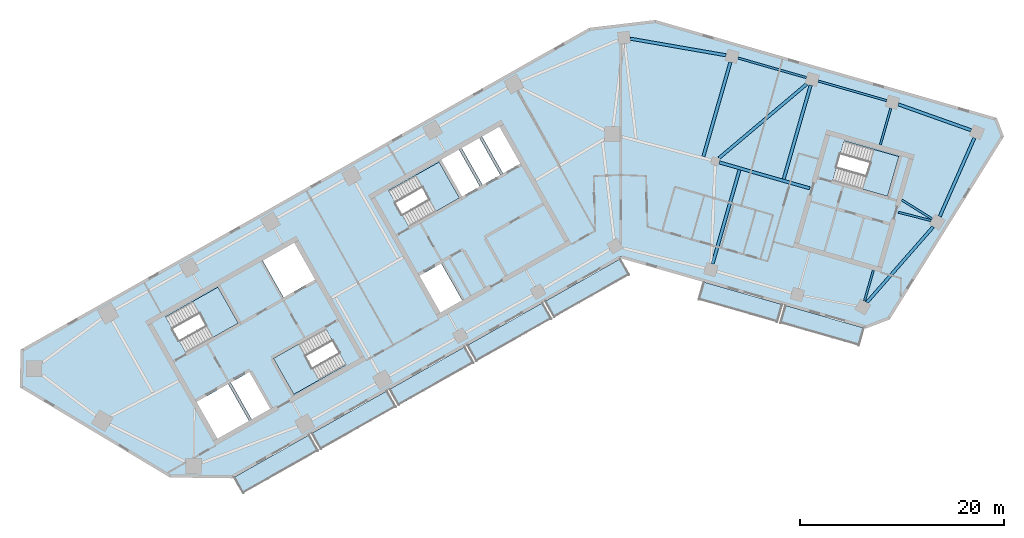
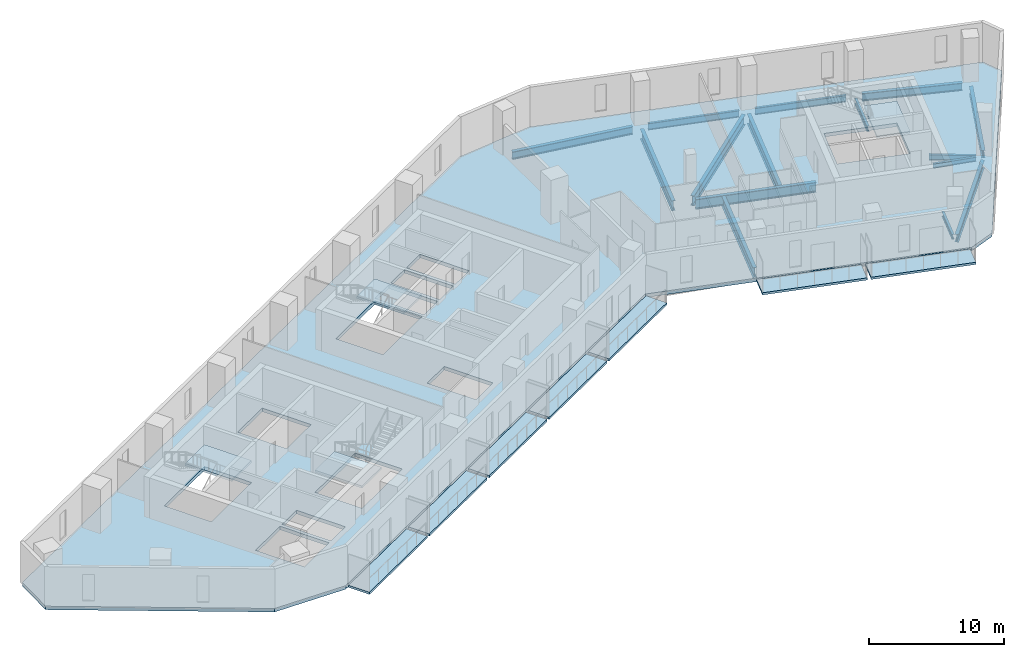
# One storey, part 2 of 9: 15 beams, 12 slabs, 4 elements without a shape of their own.
"""IFC4 building model written with IfcOpenShell, lengths in metres."""

from ifc_helpers import new_model, si_unit, direction, frame, origin, origin_2d, place, context, subcontext, project, spatial, polyline, i_section, outline, extrude, material, layer, layer_set, material_profile, profile_set, type_object, element, aggregate, save


model = new_model("IFC4")

# Units and contexts
model_context = context("Model", 3, precision=1e-05, world=origin(), true_north=direction((0.0, 1.0)))
body_context = subcontext(model_context, "Body", "Model", "MODEL_VIEW")
ifc_project = project(units=[si_unit("LENGTHUNIT", "METRE"), si_unit("AREAUNIT", "SQUARE_METRE"), si_unit("VOLUMEUNIT", "CUBIC_METRE"), si_unit("PLANEANGLEUNIT", "RADIAN"), si_unit("MASSUNIT", "GRAM", prefix="KILO")], contexts=[model_context])

# Site, building, storey
site_placement = place(None, origin())
site = spatial("IfcSite", under=ifc_project, at=site_placement, CompositionType="ELEMENT")
building_placement = place(site_placement, origin())
building = spatial("IfcBuilding", under=site, at=building_placement, Name="Binnacle Exchange Tower", CompositionType="ELEMENT")
storey_placement = place(building_placement, frame((0.0, 0.0, 158.89990234375)))
storey = spatial("IfcBuildingStorey", under=building, at=storey_placement, Name="L33", CompositionType="ELEMENT", Elevation=158.89990234375)

# Beams
ifc_material_1 = material(Name="Steel S355 (SHN355)", Category="steel")
ifc_material_profile_1 = material_profile(ifc_material_1, i_section(OverallWidth=0.201904296875, OverallDepth=0.612060546875, WebThickness=0.012939453125, FlangeThickness=0.02294921875, FilletRadius=0.02197265625, at=origin_2d()), Name="H 612x202x13x23")
ifc_profile_set_1 = profile_set([ifc_material_profile_1], Name="Steel S355 (SHN355)")
beam_type_1 = type_object("IfcBeamType", Name="Edge girder H 612x202x13x23 Steel S355 (SHN355)", PredefinedType="SPANDREL", material=ifc_profile_set_1)
for number, where, z_axis, x_axis, name in (
    (1, (18.16943359375, 65.54150390625, -0.6259765625), (-0.961255274252, 0.275659749916, 0.0), (-0.275659749916, -0.961255274252, 0.0), "S:BM:edge:L33:029"),
    (2, (26.02587890625, 63.288818359375, -0.6259765625), (-0.961267211469, 0.275618120149, 0.0), (-0.275618120149, -0.961267211469, 0.0), "S:BM:edge:L33:031"),
):
    element("IfcBeam", number, at=place(storey_placement, frame(where, z_axis=z_axis, x_axis=x_axis)), inside=storey, type_object=beam_type_1, Name=name, PredefinedType="SPANDREL", context=body_context, shape_type="SweptSolid", body=[
        extrude(i_section(OverallWidth=0.201904296875, OverallDepth=0.612060546875, WebThickness=0.012939453125, FlangeThickness=0.02294921875, FilletRadius=0.02197265625, at=origin_2d()), origin(), (0.0, 0.0, 1.0), 6.972900390625),
    ])
ifc_material_profile_2 = material_profile(ifc_material_1, i_section(OverallWidth=0.300048828125, OverallDepth=0.699951171875, WebThickness=0.012939453125, FlangeThickness=0.02392578125, FilletRadius=0.028076171875, at=origin_2d()), Name="H 700x300x13x24")
ifc_profile_set_2 = profile_set([ifc_material_profile_2], Name="Steel S355 (SHN355)")
beam_type_2 = type_object("IfcBeamType", Name="Edge girder H 700x300x13x24 Steel S355 (SHN355)", PredefinedType="SPANDREL", material=ifc_profile_set_2)
beam_1_placement = place(storey_placement, frame((31.234130859375, 51.94091796875, -0.669921875), z_axis=(0.403470856186, 0.914992496258, 0.0), x_axis=(-0.914992496258, 0.403470856186, 0.0)))
element("IfcBeam", 3, at=beam_1_placement, inside=storey, type_object=beam_type_2, Name="S:BM:edge:L33:032", PredefinedType="SPANDREL", context=body_context, shape_type="SweptSolid", body=[
    extrude(i_section(OverallWidth=0.300048828125, OverallDepth=0.699951171875, WebThickness=0.012939453125, FlangeThickness=0.02392578125, FilletRadius=0.028076171875, at=origin_2d()), origin(), (0.0, 0.0, 1.0), 8.412109375),
])
beam_2_placement = place(storey_placement, frame((34.30419921875, 60.38818359375, -0.669921875), z_axis=(-0.942327723458, 0.334691591771, 0.0), x_axis=(-0.334691591771, -0.942327723458, 0.0)))
element("IfcBeam", 4, at=beam_2_placement, inside=storey, type_object=beam_type_2, Name="S:BM:edge:L33:033", PredefinedType="SPANDREL", context=body_context, shape_type="SweptSolid", body=[
    extrude(i_section(OverallWidth=0.300048828125, OverallDepth=0.699951171875, WebThickness=0.012939453125, FlangeThickness=0.02392578125, FilletRadius=0.028076171875, at=origin_2d()), origin(), (0.0, 0.0, 1.0), 7.57177734375),
])
ifc_material_profile_3 = material_profile(ifc_material_1, i_section(OverallWidth=0.302001953125, OverallDepth=0.7080078125, WebThickness=0.014892578125, FlangeThickness=0.028076171875, FilletRadius=0.028076171875, at=origin_2d()), Name="H 708x302x15x28")
ifc_profile_set_3 = profile_set([ifc_material_profile_3], Name="Steel S355 (SHN355)")
beam_type_3 = type_object("IfcBeamType", Name="Edge girder H 708x302x15x28 Steel S355 (SHN355)", PredefinedType="SPANDREL", material=ifc_profile_set_3)
beam_3_placement = place(storey_placement, frame((10.29541015625, 67.73193359375, -0.673828125), z_axis=(-0.985309861954, 0.170776098841, 0.0), x_axis=(-0.170776098841, -0.985309861954, 0.0)))
element("IfcBeam", 5, at=beam_3_placement, inside=storey, type_object=beam_type_3, Name="S:BM:edge:L33:027", PredefinedType="SPANDREL", context=body_context, shape_type="SweptSolid", body=[
    extrude(i_section(OverallWidth=0.302001953125, OverallDepth=0.7080078125, WebThickness=0.014892578125, FlangeThickness=0.028076171875, FilletRadius=0.028076171875, at=origin_2d()), origin(), (0.0, 0.0, 1.0), 9.518310546875),
])
beam_4_placement = place(storey_placement, frame((24.09326171875, 43.5224609375, -0.673828125), z_axis=(0.659335841855, 0.751848553663, 0.0), x_axis=(-0.751848553663, 0.659335841855, 0.0)))
element("IfcBeam", 6, at=beam_4_placement, inside=storey, type_object=beam_type_3, Name="S:BM:edge:L33:030", PredefinedType="SPANDREL", context=body_context, shape_type="SweptSolid", body=[
    extrude(i_section(OverallWidth=0.302001953125, OverallDepth=0.7080078125, WebThickness=0.014892578125, FlangeThickness=0.028076171875, FilletRadius=0.028076171875, at=origin_2d()), origin(), (0.0, 0.0, 1.0), 9.851318359375),
])
ifc_material_profile_4 = material_profile(ifc_material_1, i_section(OverallWidth=0.199951171875, OverallDepth=0.449951171875, WebThickness=0.009033203125, FlangeThickness=0.013916015625, FilletRadius=0.01806640625, at=origin_2d()), Name="H 450x200x9x14")
ifc_profile_set_4 = profile_set([ifc_material_profile_4], Name="Steel S355 (SHN355)")
beam_type_4 = type_object("IfcBeamType", Name="Floor beam H 450x200x9x14 Steel S355 (SHN355)", PredefinedType="BEAM", material=ifc_profile_set_4)
beam_5_placement = place(storey_placement, frame((23.860595703125, 43.6572265625, -0.544921875), z_axis=(0.275637043779, 0.961261785414, 0.0), x_axis=(-0.961261785414, 0.275637043779, 0.0)))
element("IfcBeam", 7, at=beam_5_placement, inside=storey, type_object=beam_type_4, Name="S:BM:cross:L33:051", PredefinedType="BEAM", context=body_context, shape_type="SweptSolid", body=[
    extrude(i_section(OverallWidth=0.199951171875, OverallDepth=0.449951171875, WebThickness=0.009033203125, FlangeThickness=0.013916015625, FilletRadius=0.01806640625, at=origin_2d()), origin(), (0.0, 0.0, 1.0), 3.1328125),
])
ifc_material_profile_5 = material_profile(ifc_material_1, i_section(OverallWidth=0.199951171875, OverallDepth=0.5, WebThickness=0.010009765625, FlangeThickness=0.01611328125, FilletRadius=0.02001953125, at=origin_2d()), Name="H 500x200x10x16")
ifc_profile_set_5 = profile_set([ifc_material_profile_5], Name="Steel S355 (SHN355)")
beam_type_5 = type_object("IfcBeamType", Name="Floor beam H 500x200x10x16 Steel S355 (SHN355)", PredefinedType="BEAM", material=ifc_profile_set_5)
beam_6_placement = place(storey_placement, frame((26.437255859375, 62.546630859375, -0.56982421875), z_axis=(-0.275644746045, -0.961259576794, 0.0), x_axis=(0.961259576794, -0.275644746045, 0.0)))
element("IfcBeam", 8, at=beam_6_placement, inside=storey, type_object=beam_type_5, Name="S:BM:cross:L33:052", PredefinedType="BEAM", context=body_context, shape_type="SweptSolid", body=[
    extrude(i_section(OverallWidth=0.199951171875, OverallDepth=0.5, WebThickness=0.010009765625, FlangeThickness=0.01611328125, FilletRadius=0.02001953125, at=origin_2d()), origin(), (0.0, 0.0, 1.0), 3.735107421875),
])
beam_7_placement = place(storey_placement, frame((30.480712890625, 51.704345703125, -0.56982421875), z_axis=(-0.848084620748, 0.529860808186, 0.0), x_axis=(-0.529860808186, -0.848084620748, 0.0)))
element("IfcBeam", 9, at=beam_7_placement, inside=storey, type_object=beam_type_5, Name="S:BM:cross:L33:053", PredefinedType="BEAM", context=body_context, shape_type="SweptSolid", body=[
    extrude(i_section(OverallWidth=0.199951171875, OverallDepth=0.5, WebThickness=0.010009765625, FlangeThickness=0.01611328125, FilletRadius=0.02001953125, at=origin_2d()), origin(), (0.0, 0.0, 1.0), 3.495361328125),
])
ifc_material_profile_6 = material_profile(ifc_material_1, i_section(OverallWidth=0.302001953125, OverallDepth=0.912109375, WebThickness=0.01806640625, FlangeThickness=0.033935546875, FilletRadius=0.028076171875, at=origin_2d()), Name="H 912x302x18x34")
ifc_profile_set_6 = profile_set([ifc_material_profile_6], Name="Steel S355 (SHN355)")
beam_type_6 = type_object("IfcBeamType", Name="Floor beam H 912x302x18x34 Steel S355 (SHN355)", PredefinedType="BEAM", material=ifc_profile_set_6)
beam_8_placement = place(storey_placement, frame((8.974853515625, 47.299072265625, -0.77587890625), z_axis=(0.275642748758, 0.961260149521, 0.0), x_axis=(-0.961260149521, 0.275642748758, 0.0)))
element("IfcBeam", 10, at=beam_8_placement, inside=storey, type_object=beam_type_6, Name="S:BM:cross:L33:047", PredefinedType="BEAM", context=body_context, shape_type="SweptSolid", body=[
    extrude(i_section(OverallWidth=0.302001953125, OverallDepth=0.912109375, WebThickness=0.01806640625, FlangeThickness=0.033935546875, FilletRadius=0.028076171875, at=origin_2d()), origin(), (0.0, 0.0, 1.0), 9.585205078125),
])
beam_9_placement = place(storey_placement, frame((10.724609375, 67.05224609375, -0.77587890625), z_axis=(-0.275623285325, -0.961265730475, 0.0), x_axis=(0.961265730475, -0.275623285325, 0.0)))
element("IfcBeam", 11, at=beam_9_placement, inside=storey, type_object=beam_type_6, Name="S:BM:cross:L33:048", PredefinedType="BEAM", context=body_context, shape_type="SweptSolid", body=[
    extrude(i_section(OverallWidth=0.302001953125, OverallDepth=0.912109375, WebThickness=0.01806640625, FlangeThickness=0.033935546875, FilletRadius=0.028076171875, at=origin_2d()), origin(), (0.0, 0.0, 1.0), 9.61328125),
])
beam_10_placement = place(storey_placement, frame((18.580810546875, 64.79931640625, -0.77587890625), z_axis=(-0.275625961623, -0.961264963098, 0.0), x_axis=(0.961264963098, -0.275625961623, 0.0)))
element("IfcBeam", 12, at=beam_10_placement, inside=storey, type_object=beam_type_6, Name="S:BM:cross:L33:050", PredefinedType="BEAM", context=body_context, shape_type="SweptSolid", body=[
    extrude(i_section(OverallWidth=0.302001953125, OverallDepth=0.912109375, WebThickness=0.01806640625, FlangeThickness=0.033935546875, FilletRadius=0.028076171875, at=origin_2d()), origin(), (0.0, 0.0, 1.0), 9.5849609375),
])
ifc_material_profile_7 = material_profile(ifc_material_1, i_section(OverallWidth=0.199951171875, OverallDepth=0.39990234375, WebThickness=0.008056640625, FlangeThickness=0.012939453125, FilletRadius=0.01611328125, at=origin_2d()), Name="H 400x200x8x13")
ifc_profile_set_7 = profile_set([ifc_material_profile_7], Name="Steel S355 (SHN355)")
beam_type_7 = type_object("IfcBeamType", Name="Spine girder H 400x200x8x13 Steel S355 (SHN355)", PredefinedType="BEAM", material=ifc_profile_set_7)
beam_11_placement = place(storey_placement, frame((27.17138671875, 52.35400390625, -0.52001953125), z_axis=(0.969342999561, -0.245711516217, 0.0), x_axis=(0.245711516217, 0.969342999561, 0.0)))
element("IfcBeam", 13, at=beam_11_placement, inside=storey, type_object=beam_type_7, Name="S:BM:spine:L33:010", PredefinedType="BEAM", context=body_context, shape_type="SweptSolid", body=[
    extrude(i_section(OverallWidth=0.199951171875, OverallDepth=0.39990234375, WebThickness=0.008056640625, FlangeThickness=0.012939453125, FilletRadius=0.01611328125, at=origin_2d()), origin(), (0.0, 0.0, 1.0), 3.30859375),
])
ifc_material_profile_8 = material_profile(ifc_material_1, i_section(OverallWidth=0.302001953125, OverallDepth=0.912109375, WebThickness=0.01806640625, FlangeThickness=0.033935546875, FilletRadius=0.028076171875, at=origin_2d()), Name="H 912x302x18x34")
ifc_profile_set_8 = profile_set([ifc_material_profile_8], Name="Steel S355 (SHN355)")
beam_type_8 = type_object("IfcBeamType", Name="Spine girder H 912x302x18x34 Steel S355 (SHN355)", PredefinedType="BEAM", material=ifc_profile_set_8)
beam_12_placement = place(storey_placement, frame((9.60888671875, 57.660888671875, -0.77587890625), z_axis=(0.764057522707, 0.645148124073, 0.0), x_axis=(-0.645148124073, 0.764057522707, 0.0)))
element("IfcBeam", 14, at=beam_12_placement, inside=storey, type_object=beam_type_8, Name="S:BM:spine:L33:008", PredefinedType="BEAM", context=body_context, shape_type="SweptSolid", body=[
    extrude(i_section(OverallWidth=0.302001953125, OverallDepth=0.912109375, WebThickness=0.01806640625, FlangeThickness=0.033935546875, FilletRadius=0.028076171875, at=origin_2d()), origin(), (0.0, 0.0, 1.0), 11.237060546875),
])
beam_13_placement = place(storey_placement, frame((9.62548828125, 57.239990234375, -0.77587890625), z_axis=(0.961259511383, -0.275644974153, 0.0), x_axis=(0.275644974153, 0.961259511383, 0.0)))
element("IfcBeam", 15, at=beam_13_placement, inside=storey, type_object=beam_type_8, Name="S:BM:spine:L33:009", PredefinedType="BEAM", context=body_context, shape_type="SweptSolid", body=[
    extrude(i_section(OverallWidth=0.302001953125, OverallDepth=0.912109375, WebThickness=0.01806640625, FlangeThickness=0.033935546875, FilletRadius=0.028076171875, at=origin_2d()), origin(), (0.0, 0.0, 1.0), 9.213134765625),
])

# Slabs
ifc_material_2 = material(Name="Concrete C35/45", Category="concrete")
ifc_layer_1 = layer(ifc_material_2, 0.199951171875)
ifc_layer_set_1 = layer_set([ifc_layer_1], Name="BALCONY SLAB 200")
slab_type_1 = type_object("IfcSlabType", Name="BALCONY SLAB 200", PredefinedType="FLOOR", material=ifc_layer_set_1)
slab_1_placement = place(storey_placement, frame((0.0, 0.0, -0.199951171875)))
element("IfcSlab", 16, at=slab_1_placement, inside=storey, type_object=slab_type_1, Name="Balcony BA-G01-00 L33", PredefinedType="FLOOR", context=body_context, shape_type="SweptSolid", body=[
    extrude(outline(polyline([(-37.893310546875, 26.388671875), (-30.534912109375, 30.5517578125), (-29.648681640625, 28.985107421875), (-37.007080078125, 24.822021484375), (-37.893310546875, 26.388671875)])), origin(), (0.0, 0.0, 1.0), 0.199951171875),
])
slab_2_placement = place(storey_placement, frame((0.0, 0.0, -0.199951171875)))
element("IfcSlab", 17, at=slab_2_placement, inside=storey, type_object=slab_type_1, Name="Balcony BA-G01-01 L33", PredefinedType="FLOOR", context=body_context, shape_type="SweptSolid", body=[
    extrude(outline(polyline([(-30.27392578125, 30.699462890625), (-22.915283203125, 34.86279296875), (-22.029052734375, 33.296142578125), (-29.387451171875, 29.1328125), (-30.27392578125, 30.699462890625)])), origin(), (0.0, 0.0, 1.0), 0.199951171875),
])
slab_3_placement = place(storey_placement, frame((0.0, 0.0, -0.199951171875)))
element("IfcSlab", 18, at=slab_3_placement, inside=storey, type_object=slab_type_1, Name="Balcony BA-G01-02 L33", PredefinedType="FLOOR", context=body_context, shape_type="SweptSolid", body=[
    extrude(outline(polyline([(-22.654296875, 35.010498046875), (-15.2958984375, 39.173583984375), (-14.409423828125, 37.607177734375), (-21.767822265625, 33.44384765625), (-22.654296875, 35.010498046875)])), origin(), (0.0, 0.0, 1.0), 0.199951171875),
])
slab_4_placement = place(storey_placement, frame((0.0, 0.0, -0.199951171875)))
element("IfcSlab", 19, at=slab_4_placement, inside=storey, type_object=slab_type_1, Name="Balcony BA-G01-03 L33", PredefinedType="FLOOR", context=body_context, shape_type="SweptSolid", body=[
    extrude(outline(polyline([(-15.03466796875, 39.3212890625), (-7.67626953125, 43.484619140625), (-6.789794921875, 41.91796875), (-14.148193359375, 37.7548828125), (-15.03466796875, 39.3212890625)])), origin(), (0.0, 0.0, 1.0), 0.199951171875),
])
slab_5_placement = place(storey_placement, frame((0.0, 0.0, -0.199951171875)))
element("IfcSlab", 20, at=slab_5_placement, inside=storey, type_object=slab_type_1, Name="Balcony BA-G01-04 L33", PredefinedType="FLOOR", context=body_context, shape_type="SweptSolid", body=[
    extrude(outline(polyline([(-7.4150390625, 43.63232421875), (-0.056640625, 47.795654296875), (0.82958984375, 46.22900390625), (-6.52880859375, 42.06591796875), (-7.4150390625, 43.63232421875)])), origin(), (0.0, 0.0, 1.0), 0.199951171875),
])
slab_6_placement = place(storey_placement, frame((0.0, 0.0, -0.199951171875)))
element("IfcSlab", 21, at=slab_6_placement, inside=storey, type_object=slab_type_1, Name="Balcony BA-G02-01 L33", PredefinedType="FLOOR", context=body_context, shape_type="SweptSolid", body=[
    extrude(outline(polyline([(8.100830078125, 45.52099609375), (15.810546875, 43.310302734375), (15.314453125, 41.580078125), (7.604736328125, 43.790771484375), (8.100830078125, 45.52099609375)])), origin(), (0.0, 0.0, 1.0), 0.199951171875),
])
slab_7_placement = place(storey_placement, frame((0.0, 0.0, -0.199951171875)))
element("IfcSlab", 22, at=slab_7_placement, inside=storey, type_object=slab_type_1, Name="Balcony BA-G02-02 L33", PredefinedType="FLOOR", context=body_context, shape_type="SweptSolid", body=[
    extrude(outline(polyline([(16.09912109375, 43.2275390625), (23.80859375, 41.016845703125), (23.3125, 39.28662109375), (15.602783203125, 41.497314453125), (16.09912109375, 43.2275390625)])), origin(), (0.0, 0.0, 1.0), 0.199951171875),
])
ifc_layer_2 = layer(ifc_material_2, 0.320068359375)
ifc_layer_set_2 = layer_set([ifc_layer_2], Name="Floor slab 320 Concrete C35/45")
slab_type_2 = type_object("IfcSlabType", Name="Floor slab 320 Concrete C35/45", PredefinedType="FLOOR", material=ifc_layer_set_2)
slab_8_placement = place(storey_placement, frame((0.0, 0.0, -0.31982421875)))
element("IfcSlab", 23, at=slab_8_placement, inside=storey, type_object=slab_type_2, Name="S:SL:L33:01", PredefinedType="FLOOR", context=body_context, shape_type="SweptSolid", body=[
    extrude(outline(polyline([(-58.716064453125, 35.280029296875), (-58.669921875, 38.80615234375), (-3.046142578125, 70.276611328125), (3.364501953125, 71.035400390625), (36.71240234375, 61.472900390625), (37.359375, 59.787353515625), (26.23095703125, 41.978515625), (23.994140625, 41.119873046875), (0.0, 48.0), (-38.097900390625, 26.4453125), (-44.14404296875, 26.5244140625), (-58.716064453125, 35.280029296875)]), holes=[polyline([(-38.4794921875, 35.529296875), (-41.61279296875, 33.756591796875), (-39.544677734375, 30.10107421875), (-36.411376953125, 31.873779296875), (-38.4794921875, 35.529296875)]), polyline([(-36.390625, 36.711181640625), (-38.21826171875, 35.677001953125), (-36.150146484375, 32.021484375), (-34.322509765625, 33.0556640625), (-36.390625, 36.711181640625)]), polyline([(-32.04638671875, 34.515625), (-26.9287109375, 37.4111328125), (-28.923095703125, 40.93603515625), (-34.040771484375, 38.04052734375), (-32.04638671875, 34.515625)]), polyline([(-37.486572265625, 41.4912109375), (-39.480712890625, 45.01611328125), (-44.598388671875, 42.12060546875), (-42.604248046875, 38.595703125), (-37.486572265625, 41.4912109375)]), polyline([(-29.914306640625, 45.775390625), (-31.982666015625, 49.430908203125), (-35.115966796875, 47.657958984375), (-33.047607421875, 44.00244140625), (-29.914306640625, 45.775390625)]), polyline([(-17.81689453125, 57.27294921875), (-22.760498046875, 54.47607421875), (-20.76611328125, 50.950927734375), (-15.822509765625, 53.748046875), (-17.81689453125, 57.27294921875)]), polyline([(-15.53076171875, 43.6875), (-17.598876953125, 47.343017578125), (-19.77490234375, 46.11181640625), (-17.70654296875, 42.456298828125), (-15.53076171875, 43.6875)]), polyline([(-13.82080078125, 54.880615234375), (-15.888916015625, 58.5361328125), (-17.629638671875, 57.55126953125), (-15.5615234375, 53.895751953125), (-13.82080078125, 54.880615234375)]), polyline([(27.227783203125, 57.810302734375), (21.864013671875, 59.348388671875), (20.74755859375, 55.455078125), (26.111328125, 53.9169921875), (27.227783203125, 57.810302734375)]), polyline([(-11.819091796875, 56.01318359375), (-13.88720703125, 59.668701171875), (-15.6279296875, 58.683837890625), (-13.559814453125, 55.0283203125), (-11.819091796875, 56.01318359375)]), polyline([(-9.817138671875, 57.145751953125), (-11.885498046875, 60.80126953125), (-13.626220703125, 59.81640625), (-11.557861328125, 56.160888671875), (-9.817138671875, 57.145751953125)])]), origin(), (0.0, 0.0, 1.0), 0.31982421875),
])

# Stair, slab
stair_type = type_object("IfcStairType", Name="STAIR 24 RISERS 167", PredefinedType="HALF_TURN_STAIR", material=ifc_material_2)
stair_1_placement = place(storey_placement, origin())
stair_1 = element("IfcStair", 24, at=stair_1_placement, inside=storey, type_object=stair_type, Name="L33 Escape stair A1", PredefinedType="HALF_TURN_STAIR")
ifc_layer_3 = layer(ifc_material_2, 0.199951171875)
ifc_layer_set_3 = layer_set([ifc_layer_3], Name="STAIR LANDING 200")
slab_type_3 = type_object("IfcSlabType", Name="STAIR LANDING 200", PredefinedType="LANDING", material=ifc_layer_set_3)
slab_9_placement = place(storey_placement, frame((0.0, 0.0, 1.800048828125)))
slab_9 = element("IfcSlab", 25, at=slab_9_placement, type_object=slab_type_3, Name="STA1 landing 1", PredefinedType="LANDING", context=body_context, shape_type="SweptSolid", body=[
    extrude(outline(polyline([(-39.958251953125, 40.0927734375), (-37.486572265625, 41.4912109375), (-39.48095703125, 45.01611328125), (-41.95263671875, 43.61767578125), (-39.958251953125, 40.0927734375)])), origin(), (0.0, 0.0, 1.0), 0.199951171875),
])
aggregate(stair_1, [slab_9])

stair_2_placement = place(storey_placement, origin())
stair_2 = element("IfcStair", 26, at=stair_2_placement, inside=storey, type_object=stair_type, Name="L33 Escape stair A2", PredefinedType="HALF_TURN_STAIR")
slab_10_placement = place(storey_placement, frame((0.0, 0.0, 1.800048828125)))
slab_10 = element("IfcSlab", 27, at=slab_10_placement, type_object=slab_type_3, Name="STA2 landing 1", PredefinedType="LANDING", context=body_context, shape_type="SweptSolid", body=[
    extrude(outline(polyline([(-31.56884765625, 39.439208984375), (-34.040771484375, 38.04052734375), (-32.04638671875, 34.515625), (-29.574462890625, 35.9140625), (-31.56884765625, 39.439208984375)])), origin(), (0.0, 0.0, 1.0), 0.199951171875),
])
aggregate(stair_2, [slab_10])

stair_3_placement = place(storey_placement, origin())
stair_3 = element("IfcStair", 28, at=stair_3_placement, inside=storey, type_object=stair_type, Name="L33 Escape stair C1", PredefinedType="HALF_TURN_STAIR")
slab_11_placement = place(storey_placement, frame((0.0, 0.0, 1.800048828125)))
slab_11 = element("IfcSlab", 29, at=slab_11_placement, type_object=slab_type_3, Name="STC1 landing 1", PredefinedType="LANDING", context=body_context, shape_type="SweptSolid", body=[
    extrude(outline(polyline([(-18.120361328125, 52.447998046875), (-15.822509765625, 53.748046875), (-17.81689453125, 57.27294921875), (-20.11474609375, 55.972900390625), (-18.120361328125, 52.447998046875)])), origin(), (0.0, 0.0, 1.0), 0.199951171875),
])
aggregate(stair_3, [slab_11])

stair_4_placement = place(storey_placement, origin())
stair_4 = element("IfcStair", 30, at=stair_4_placement, inside=storey, type_object=stair_type, Name="L33 Escape stair D1", PredefinedType="HALF_TURN_STAIR")
slab_12_placement = place(storey_placement, frame((0.0, 0.0, 1.800048828125)))
slab_12 = element("IfcSlab", 31, at=slab_12_placement, type_object=slab_type_3, Name="STD1 landing 1", PredefinedType="LANDING", context=body_context, shape_type="SweptSolid", body=[
    extrude(outline(polyline([(23.669677734375, 54.6171875), (26.111328125, 53.917236328125), (27.227783203125, 57.810302734375), (24.7861328125, 58.51025390625), (23.669677734375, 54.6171875)])), origin(), (0.0, 0.0, 1.0), 0.199951171875),
])
aggregate(stair_4, [slab_12])

save(model, "model.ifc")
